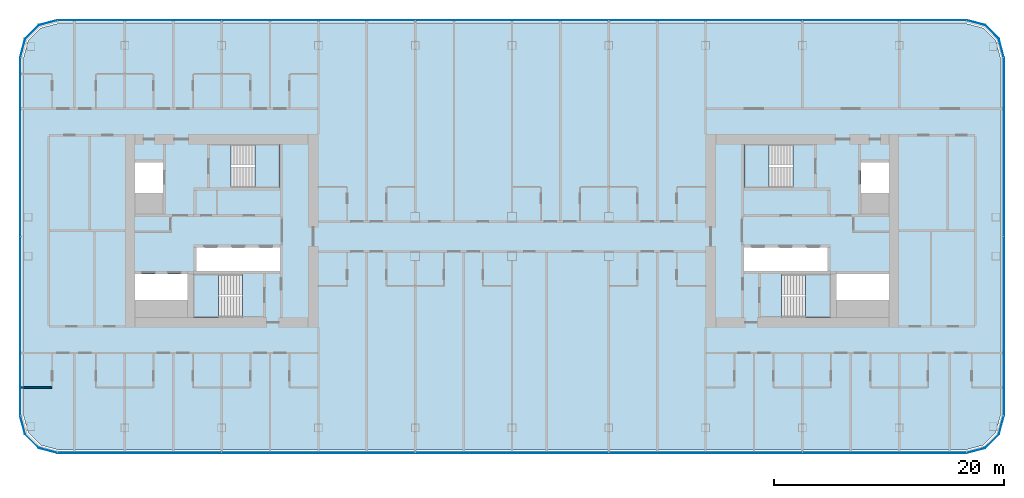
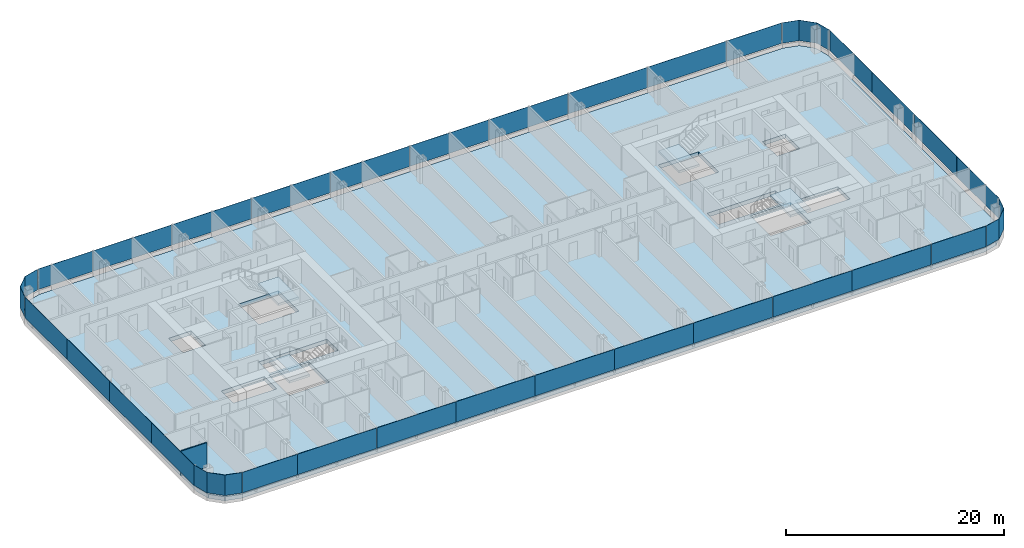
# One storey, part 11 of 27: 32 plates, 5 slabs, 1 wall, 12 elements without a shape of their own.
"""IFC4 building model written with IfcOpenShell, lengths in metres."""

import ifcopenshell
import ifcopenshell.guid

model = None  # the IFC model being written
_history = None  # IfcOwnerHistory: only IFC2X3 demands one
_inside = {}  # id of a spatial element -> (the spatial element, [elements in it])
_under = {}  # id of a project, library or spatial element -> (it, [spatial elements below it])
_declared = {}  # id of a project -> (the project, [libraries it declares])
_typed = {}  # id of a type object -> (the type object, [elements of that type])
_made_of = {}  # id of a material, layer set ... -> (it, [elements and type objects made of it])


def new_model(schema):
    """Start an empty IFC model of exactly this schema.

    Asked for "IFC4X3", IfcOpenShell would pick the latest addendum, in which some entities
    have other attributes; the version numbers below select the first issue.
    IFC2X3 requires an IfcOwnerHistory on every rooted entity: one is made here for all.
    """
    global model, _history
    if schema == "IFC4X3":
        model = ifcopenshell.file(schema_version=(4, 3, 0, 0))
    else:
        model = ifcopenshell.file(schema=schema)
    _inside.clear()
    _under.clear()
    _declared.clear()
    _typed.clear()
    _made_of.clear()
    _history = None
    if model.schema == "IFC2X3":
        org = make("IfcOrganization", Name="unknown")
        user = make(
            "IfcPersonAndOrganization",
            ThePerson=make("IfcPerson", FamilyName="unknown"),
            TheOrganization=org,
        )
        app = make(
            "IfcApplication",
            ApplicationDeveloper=org,
            Version="unknown",
            ApplicationFullName="unknown",
            ApplicationIdentifier="unknown",
        )
        _history = make(
            "IfcOwnerHistory",
            OwningUser=user,
            OwningApplication=app,
            ChangeAction="ADDED",
            CreationDate=0,
        )
    return model


def make(cls, **values):
    """One entity of the class cls with the attributes given. An attribute that is None is left unset."""
    return model.create_entity(
        cls, **{name: value for name, value in values.items() if value is not None}
    )


def rooted(cls, **values):
    """An entity with a GlobalId (a new one), such as an element, a storey or a relation."""
    return make(cls, GlobalId=ifcopenshell.guid.new(), OwnerHistory=_history, **values)


def si_unit(unit_type, name, prefix=None):
    """IfcSIUnit, for example si_unit("LENGTHUNIT", "METRE", prefix="MILLI")."""
    return make("IfcSIUnit", UnitType=unit_type, Prefix=prefix, Name=name)


def assignment(units):
    """IfcUnitAssignment: the units of a project."""
    return None if units is None else make("IfcUnitAssignment", Units=units)


def point(xyz):
    """IfcCartesianPoint."""
    return None if xyz is None else make("IfcCartesianPoint", Coordinates=xyz)


def direction(xyz):
    """IfcDirection."""
    return None if xyz is None else make("IfcDirection", DirectionRatios=xyz)


def frame(location, z_axis=None, x_axis=None):
    """IfcAxis2Placement3D, a coordinate frame: its origin and axes. An axis left out is left unset."""
    return make(
        "IfcAxis2Placement3D",
        Location=point(location),
        Axis=direction(z_axis),
        RefDirection=direction(x_axis),
    )


def frame_2d(location, x_axis=None):
    """IfcAxis2Placement2D, a coordinate frame in the plane: its origin and x axis."""
    return make(
        "IfcAxis2Placement2D", Location=point(location), RefDirection=direction(x_axis)
    )


def origin():
    """The frame at (0, 0, 0) with its axes left unset."""
    return frame((0.0, 0.0, 0.0))


def origin_2d():
    """The frame at (0, 0) in the plane with its x axis left unset."""
    return frame_2d((0.0, 0.0))


def place(relative_to, where):
    """IfcLocalPlacement: puts the frame where relative to a parent placement (None: the world)."""
    return make(
        "IfcLocalPlacement", PlacementRelTo=relative_to, RelativePlacement=where
    )


def context(
    kind, dimensions, precision=None, world=None, true_north=None, identifier=None
):
    """IfcGeometricRepresentationContext, for example the 3D "Model" context."""
    return make(
        "IfcGeometricRepresentationContext",
        ContextIdentifier=identifier,
        ContextType=kind,
        CoordinateSpaceDimension=dimensions,
        Precision=precision,
        WorldCoordinateSystem=world,
        TrueNorth=true_north,
    )


def subcontext(parent, identifier, kind, view, scale=None):
    """IfcGeometricRepresentationSubContext, for example "Body" below "Model"."""
    return make(
        "IfcGeometricRepresentationSubContext",
        ContextIdentifier=identifier,
        ContextType=kind,
        ParentContext=parent,
        TargetScale=scale,
        TargetView=view,
    )


def project(units=None, contexts=None):
    """IfcProject with its units and contexts."""
    return rooted(
        "IfcProject",
        Name="project",
        RepresentationContexts=contexts,
        UnitsInContext=assignment(units),
    )


def spatial(cls, under=None, at=None, **own):
    """A site, building, storey or space (cls), placed at a placement, below another one or the project."""
    s = rooted(cls, ObjectPlacement=at, **own)
    if under is not None:
        _under.setdefault(under.id(), (under, []))[1].append(s)
    return s


def polyline(points):
    """IfcPolyline through the points."""
    return make("IfcPolyline", Points=[point(p) for p in points])


def profile(cls, at=None, kind="AREA", **sizes):
    """A parametric profile (cls). Its sizes go by their IFC names, for example OverallWidth=200.0."""
    return make(cls, ProfileType=kind, Position=at, **sizes)


def rectangle(**sizes):
    """IfcRectangleProfileDef."""
    return profile("IfcRectangleProfileDef", **sizes)


def outline(outer, holes=None, kind="AREA"):
    """IfcArbitraryClosedProfileDef: a profile drawn as a closed curve; with holes, ...WithVoids."""
    if holes is None:
        return make("IfcArbitraryClosedProfileDef", ProfileType=kind, OuterCurve=outer)
    return make(
        "IfcArbitraryProfileDefWithVoids",
        ProfileType=kind,
        OuterCurve=outer,
        InnerCurves=holes,
    )


def extrude(swept, where, along, depth):
    """IfcExtrudedAreaSolid: the profile swept, set in the frame where, extruded along a direction by depth."""
    return make(
        "IfcExtrudedAreaSolid",
        SweptArea=swept,
        Position=where,
        ExtrudedDirection=direction(along),
        Depth=depth,
    )


def shape(context_of_items, identifier, shape_type, items):
    """IfcShapeRepresentation: the items that make up one representation, for example the "Body"."""
    return make(
        "IfcShapeRepresentation",
        ContextOfItems=context_of_items,
        RepresentationIdentifier=identifier,
        RepresentationType=shape_type,
        Items=items,
    )


def material(Name=None, Category=None):
    """IfcMaterial."""
    return make("IfcMaterial", Name=Name, Category=Category)


def layer(
    of_material, thickness, ventilated=None, Name=None, Category=None, Priority=None
):
    """IfcMaterialLayer: one layer of a wall or slab, of a material (None: an air gap)."""
    return make(
        "IfcMaterialLayer",
        Material=of_material,
        LayerThickness=thickness,
        IsVentilated=ventilated,
        Name=Name,
        Category=Category,
        Priority=Priority,
    )


def layer_set(layers, Name=None):
    """IfcMaterialLayerSet."""
    return make("IfcMaterialLayerSet", MaterialLayers=layers, LayerSetName=Name)


def made_of(thing, what):
    """Note that an element or type object is made of a material, layer set ...; save() writes the relation."""
    if what is not None:
        _made_of.setdefault(what.id(), (what, []))[1].append(thing)
    return thing


def type_object(cls, material=None, **own):
    """A type object (cls), such as IfcWallType, which elements share."""
    return made_of(rooted(cls, **own), material)


def element(
    cls,
    number,
    at=None,
    inside=None,
    cuts=None,
    type_object=None,
    material=None,
    context=None,
    identifier="Body",
    shape_type=None,
    held_by="IfcProductDefinitionShape",
    body=None,
    shapes=None,
    **own,
):
    """One element of the class cls, such as IfcWall. Its Tag is "e" and its number.

    at: its placement. inside: the storey or other place that contains it. cuts: it is an
    opening in that element (IfcRelVoidsElement). A single representation is given by context,
    identifier, shape_type and body (its items); several are given by shapes. held_by: the class
    of the entity that holds the representations. save() writes the other relations.
    """
    e = rooted(cls, Tag="e%d" % number, ObjectPlacement=at, **own)
    if body is not None:
        shapes = [shape(context, identifier, shape_type, body)]
    if shapes is not None:
        e.Representation = make(held_by, Representations=shapes)
    if inside is not None:
        _inside.setdefault(inside.id(), (inside, []))[1].append(e)
    if cuts is not None:
        rooted(
            "IfcRelVoidsElement", RelatingBuildingElement=cuts, RelatedOpeningElement=e
        )
    if type_object is not None:
        _typed.setdefault(type_object.id(), (type_object, []))[1].append(e)
    return made_of(e, material)


def aggregate(whole, parts):
    """IfcRelAggregates: a whole, such as a stair, and the parts it consists of."""
    return rooted("IfcRelAggregates", RelatingObject=whole, RelatedObjects=parts)


def save(model, path):
    """Write the relations noted so far, then the file.

    IfcRelAggregates (storeys below a building ...), IfcRelContainedInSpatialStructure (elements
    in a storey), IfcRelDefinesByType, IfcRelAssociatesMaterial and IfcRelDeclares: one each for
    every whole, place, type object, material and project.
    """
    for whole, parts in _under.values():
        aggregate(whole, parts)
    for where, things in _inside.values():
        rooted(
            "IfcRelContainedInSpatialStructure",
            RelatedElements=things,
            RelatingStructure=where,
        )
    for kind, things in _typed.values():
        rooted("IfcRelDefinesByType", RelatedObjects=things, RelatingType=kind)
    for what, things in _made_of.values():
        rooted("IfcRelAssociatesMaterial", RelatedObjects=things, RelatingMaterial=what)
    for by, libraries in _declared.values():
        rooted("IfcRelDeclares", RelatingContext=by, RelatedDefinitions=libraries)
    model.write(path)


model = new_model("IFC4")

# Units and contexts
model_context = context("Model", 3, precision=1e-05, world=origin(), true_north=direction((0.0, 1.0)))
body_context = subcontext(model_context, "Body", "Model", "MODEL_VIEW")
ifc_project = project(units=[si_unit("LENGTHUNIT", "METRE"), si_unit("AREAUNIT", "SQUARE_METRE"), si_unit("VOLUMEUNIT", "CUBIC_METRE"), si_unit("PLANEANGLEUNIT", "RADIAN"), si_unit("MASSUNIT", "GRAM", prefix="KILO")], contexts=[model_context])

# Site, building, storey
site_placement = place(None, origin())
site = spatial("IfcSite", under=ifc_project, at=site_placement, CompositionType="ELEMENT")
building_placement = place(site_placement, origin())
building = spatial("IfcBuilding", under=site, at=building_placement, Name="Hakoniwa Tower and Hamabe Station Hall", CompositionType="ELEMENT")
storey_placement = place(building_placement, frame((0.0, 0.0, 166.199951171875)))
storey = spatial("IfcBuildingStorey", under=building, at=storey_placement, Name="L47", CompositionType="ELEMENT", Elevation=166.199951171875)

# Stair, slab
ifc_material_1 = material(Name="Concrete C40", Category="concrete")
stair_type = type_object("IfcStairType", Name="ESCAPE STAIR 1800", PredefinedType="HALF_TURN_STAIR", material=ifc_material_1)
stair_1_placement = place(storey_placement, origin())
stair_1 = element("IfcStair", 1, at=stair_1_placement, inside=storey, type_object=stair_type, Name="Escape stair ST-1 L47", PredefinedType="HALF_TURN_STAIR")
ifc_material_2 = material(Name="Concrete C40", Category="concrete")
ifc_layer_1 = layer(ifc_material_2, 0.25)
ifc_layer_set_1 = layer_set([ifc_layer_1], Name="CORE STAIR LANDING 250")
slab_type_1 = type_object("IfcSlabType", Name="CORE STAIR LANDING 250", PredefinedType="LANDING", material=ifc_layer_set_1)
slab_1_placement = place(storey_placement, frame((0.0, 0.0, 1.35009765625)))
slab_1 = element("IfcSlab", 2, at=slab_1_placement, type_object=slab_type_1, Name="ST-1 landing 1", PredefinedType="LANDING", context=body_context, shape_type="SweptSolid", body=[
    extrude(outline(polyline([(-22.320068359375, 3.75), (-20.14990234375, 3.75), (-20.14990234375, 7.5), (-22.320068359375, 7.5), (-22.320068359375, 3.75)])), origin(), (0.0, 0.0, 1.0), 0.25),
])
aggregate(stair_1, [slab_1])

stair_2_placement = place(storey_placement, origin())
stair_2 = element("IfcStair", 3, at=stair_2_placement, inside=storey, type_object=stair_type, Name="Escape stair ST-2 L47", PredefinedType="HALF_TURN_STAIR")
slab_2_placement = place(storey_placement, frame((0.0, 0.0, 1.35009765625)))
slab_2 = element("IfcSlab", 4, at=slab_2_placement, type_object=slab_type_1, Name="ST-2 landing 1", PredefinedType="LANDING", context=body_context, shape_type="SweptSolid", body=[
    extrude(outline(polyline([(-25.47998046875, -7.5), (-27.64990234375, -7.5), (-27.64990234375, -3.75), (-25.47998046875, -3.75), (-25.47998046875, -7.5)])), origin(), (0.0, 0.0, 1.0), 0.25),
])
aggregate(stair_2, [slab_2])

stair_3_placement = place(storey_placement, origin())
stair_3 = element("IfcStair", 5, at=stair_3_placement, inside=storey, type_object=stair_type, Name="Escape stair ST-3 L47", PredefinedType="HALF_TURN_STAIR")
slab_3_placement = place(storey_placement, frame((0.0, 0.0, 1.35009765625)))
slab_3 = element("IfcSlab", 6, at=slab_3_placement, type_object=slab_type_1, Name="ST-3 landing 1", PredefinedType="LANDING", context=body_context, shape_type="SweptSolid", body=[
    extrude(outline(polyline([(22.320068359375, 3.75), (20.14990234375, 3.75), (20.14990234375, 7.5), (22.320068359375, 7.5), (22.320068359375, 3.75)])), origin(), (0.0, 0.0, 1.0), 0.25),
])
aggregate(stair_3, [slab_3])

stair_4_placement = place(storey_placement, origin())
stair_4 = element("IfcStair", 7, at=stair_4_placement, inside=storey, type_object=stair_type, Name="Escape stair ST-4 L47", PredefinedType="HALF_TURN_STAIR")
slab_4_placement = place(storey_placement, frame((0.0, 0.0, 1.35009765625)))
slab_4 = element("IfcSlab", 8, at=slab_4_placement, type_object=slab_type_1, Name="ST-4 landing 1", PredefinedType="LANDING", context=body_context, shape_type="SweptSolid", body=[
    extrude(outline(polyline([(25.47998046875, -7.5), (27.64990234375, -7.5), (27.64990234375, -3.75), (25.47998046875, -3.75), (25.47998046875, -7.5)])), origin(), (0.0, 0.0, 1.0), 0.25),
])
aggregate(stair_4, [slab_4])

# Curtain wall, plates
ifc_material_3 = material(Name="Dark low-e laminated glass", Category="glass")
ifc_layer_2 = layer(ifc_material_3, 0.199951171875)
ifc_layer_set_2 = layer_set([ifc_layer_2], Name="CW-1 UNITISED GUEST")
curtain_wall_type = type_object("IfcCurtainWallType", Name="CW-1 UNITISED GUEST", PredefinedType="NOTDEFINED", material=ifc_layer_set_2)
curtain_wall_1_placement = place(storey_placement, origin())
curtain_wall_1 = element("IfcCurtainWall", 9, at=curtain_wall_1_placement, inside=storey, type_object=curtain_wall_type, Name="CW-1 curtain wall", PredefinedType="NOTDEFINED")
ifc_material_4 = material(Name="Dark low-e laminated glass", Category="glass")
ifc_layer_3 = layer(ifc_material_4, 0.028076171875)
ifc_layer_set_3 = layer_set([ifc_layer_3], Name="CW-1 GLASS UNIT")
plate_type = type_object("IfcPlateType", Name="CW-1 GLASS UNIT", PredefinedType="CURTAIN_PANEL", material=ifc_layer_set_3)
plate_1_placement = place(storey_placement, frame((42.68603515625, -12.154541015625, 0.35009765625), z_axis=(0.0, 0.0, 1.0), x_axis=(0.0, 1.0, 0.0)))
plate_1 = element("IfcPlate", 10, at=plate_1_placement, type_object=plate_type, Name="CW-1 glass unit", PredefinedType="CURTAIN_PANEL", context=body_context, shape_type="SweptSolid", body=[
    extrude(rectangle(XDim=7.749755859375, YDim=0.028076171875, at=origin_2d()), origin(), (0.0, 0.0, 1.0), 2.300048828125),
])
plate_2_placement = place(storey_placement, frame((42.68603515625, -4.384765625, 0.35009765625), z_axis=(0.0, 0.0, 1.0), x_axis=(0.0, 1.0, 0.0)))
plate_2 = element("IfcPlate", 11, at=plate_2_placement, type_object=plate_type, Name="CW-1 glass unit", PredefinedType="CURTAIN_PANEL", context=body_context, shape_type="SweptSolid", body=[
    extrude(rectangle(XDim=7.749755859375, YDim=0.028076171875, at=origin_2d()), origin(), (0.0, 0.0, 1.0), 2.300048828125),
])
plate_3_placement = place(storey_placement, frame((42.68603515625, 3.384765625, 0.35009765625), z_axis=(0.0, 0.0, 1.0), x_axis=(0.0, 1.0, 0.0)))
plate_3 = element("IfcPlate", 12, at=plate_3_placement, type_object=plate_type, Name="CW-1 glass unit", PredefinedType="CURTAIN_PANEL", context=body_context, shape_type="SweptSolid", body=[
    extrude(rectangle(XDim=7.749755859375, YDim=0.028076171875, at=origin_2d()), origin(), (0.0, 0.0, 1.0), 2.300048828125),
])
plate_4_placement = place(storey_placement, frame((42.68603515625, 11.154541015625, 0.35009765625), z_axis=(0.0, 0.0, 1.0), x_axis=(0.0, 1.0, 0.0)))
plate_4 = element("IfcPlate", 13, at=plate_4_placement, type_object=plate_type, Name="CW-1 glass unit", PredefinedType="CURTAIN_PANEL", context=body_context, shape_type="SweptSolid", body=[
    extrude(rectangle(XDim=7.749755859375, YDim=0.028076171875, at=origin_2d()), origin(), (0.0, 0.0, 1.0), 2.300048828125),
])
aggregate(curtain_wall_1, [plate_1, plate_2, plate_3, plate_4])

# Curtain wall, plate
curtain_wall_2_placement = place(storey_placement, origin())
curtain_wall_2 = element("IfcCurtainWall", 14, at=curtain_wall_2_placement, inside=storey, type_object=curtain_wall_type, Name="CW-1 curtain wall", PredefinedType="NOTDEFINED")
plate_5_placement = place(storey_placement, frame((0.0, 0.0, 0.35009765625)))
plate_5 = element("IfcPlate", 15, at=plate_5_placement, type_object=plate_type, Name="CW-1 curved corner unit", PredefinedType="CURTAIN_PANEL", context=body_context, shape_type="SweptSolid", body=[
    extrude(outline(polyline([(42.689697265625, 15.078125), (42.26708984375, 16.6552734375), (41.05517578125, 17.866943359375), (39.47802734375, 18.28955078125), (39.470947265625, 18.2626953125), (41.040771484375, 17.842041015625), (42.241943359375, 16.640869140625), (42.66259765625, 15.07080078125), (42.689697265625, 15.078125)])), origin(), (0.0, 0.0, 1.0), 2.300048828125),
])
aggregate(curtain_wall_2, [plate_5])

# Curtain wall, plates
curtain_wall_3_placement = place(storey_placement, origin())
curtain_wall_3 = element("IfcCurtainWall", 16, at=curtain_wall_3_placement, inside=storey, type_object=curtain_wall_type, Name="CW-1 curtain wall", PredefinedType="NOTDEFINED")
plate_6_placement = place(storey_placement, frame((36.519775390625, 18.285888671875, 0.35009765625), z_axis=(0.0, 0.0, 1.0), x_axis=(-1.0, 0.0, 0.0)))
plate_6 = element("IfcPlate", 17, at=plate_6_placement, type_object=plate_type, Name="CW-1 glass unit", PredefinedType="CURTAIN_PANEL", context=body_context, shape_type="SweptSolid", body=[
    extrude(rectangle(XDim=5.819580078125, YDim=0.028076171875, at=origin_2d()), origin(), (0.0, 0.0, 1.0), 2.300048828125),
])
plate_7_placement = place(storey_placement, frame((29.39990234375, 18.285888671875, 0.35009765625), z_axis=(0.0, 0.0, 1.0), x_axis=(-1.0, 0.0, 0.0)))
plate_7 = element("IfcPlate", 18, at=plate_7_placement, type_object=plate_type, Name="CW-1 glass unit", PredefinedType="CURTAIN_PANEL", context=body_context, shape_type="SweptSolid", body=[
    extrude(rectangle(XDim=8.3798828125, YDim=0.028076171875, at=origin_2d()), origin(), (0.0, 0.0, 1.0), 2.300048828125),
])
plate_8_placement = place(storey_placement, frame((21.0, 18.285888671875, 0.35009765625), z_axis=(0.0, 0.0, 1.0), x_axis=(-1.0, 0.0, 0.0)))
plate_8 = element("IfcPlate", 19, at=plate_8_placement, type_object=plate_type, Name="CW-1 glass unit", PredefinedType="CURTAIN_PANEL", context=body_context, shape_type="SweptSolid", body=[
    extrude(rectangle(XDim=8.3798828125, YDim=0.028076171875, at=origin_2d()), origin(), (0.0, 0.0, 1.0), 2.300048828125),
])
plate_9_placement = place(storey_placement, frame((12.60009765625, 18.285888671875, 0.35009765625), z_axis=(0.0, 0.0, 1.0), x_axis=(-1.0, 0.0, 0.0)))
plate_9 = element("IfcPlate", 20, at=plate_9_placement, type_object=plate_type, Name="CW-1 glass unit", PredefinedType="CURTAIN_PANEL", context=body_context, shape_type="SweptSolid", body=[
    extrude(rectangle(XDim=8.3798828125, YDim=0.028076171875, at=origin_2d()), origin(), (0.0, 0.0, 1.0), 2.300048828125),
])
plate_10_placement = place(storey_placement, frame((4.199951171875, 18.285888671875, 0.35009765625), z_axis=(0.0, 0.0, 1.0), x_axis=(-1.0, 0.0, 0.0)))
plate_10 = element("IfcPlate", 21, at=plate_10_placement, type_object=plate_type, Name="CW-1 glass unit", PredefinedType="CURTAIN_PANEL", context=body_context, shape_type="SweptSolid", body=[
    extrude(rectangle(XDim=8.3798828125, YDim=0.028076171875, at=origin_2d()), origin(), (0.0, 0.0, 1.0), 2.300048828125),
])
plate_11_placement = place(storey_placement, frame((-4.199951171875, 18.285888671875, 0.35009765625), z_axis=(0.0, 0.0, 1.0), x_axis=(-1.0, 0.0, 0.0)))
plate_11 = element("IfcPlate", 22, at=plate_11_placement, type_object=plate_type, Name="CW-1 glass unit", PredefinedType="CURTAIN_PANEL", context=body_context, shape_type="SweptSolid", body=[
    extrude(rectangle(XDim=8.3798828125, YDim=0.028076171875, at=origin_2d()), origin(), (0.0, 0.0, 1.0), 2.300048828125),
])
plate_12_placement = place(storey_placement, frame((-12.60009765625, 18.285888671875, 0.35009765625), z_axis=(0.0, 0.0, 1.0), x_axis=(-1.0, 0.0, 0.0)))
plate_12 = element("IfcPlate", 23, at=plate_12_placement, type_object=plate_type, Name="CW-1 glass unit", PredefinedType="CURTAIN_PANEL", context=body_context, shape_type="SweptSolid", body=[
    extrude(rectangle(XDim=8.3798828125, YDim=0.028076171875, at=origin_2d()), origin(), (0.0, 0.0, 1.0), 2.300048828125),
])
plate_13_placement = place(storey_placement, frame((-21.0, 18.285888671875, 0.35009765625), z_axis=(0.0, 0.0, 1.0), x_axis=(-1.0, 0.0, 0.0)))
plate_13 = element("IfcPlate", 24, at=plate_13_placement, type_object=plate_type, Name="CW-1 glass unit", PredefinedType="CURTAIN_PANEL", context=body_context, shape_type="SweptSolid", body=[
    extrude(rectangle(XDim=8.3798828125, YDim=0.028076171875, at=origin_2d()), origin(), (0.0, 0.0, 1.0), 2.300048828125),
])
plate_14_placement = place(storey_placement, frame((-29.39990234375, 18.285888671875, 0.35009765625), z_axis=(0.0, 0.0, 1.0), x_axis=(-1.0, 0.0, 0.0)))
plate_14 = element("IfcPlate", 25, at=plate_14_placement, type_object=plate_type, Name="CW-1 glass unit", PredefinedType="CURTAIN_PANEL", context=body_context, shape_type="SweptSolid", body=[
    extrude(rectangle(XDim=8.3798828125, YDim=0.028076171875, at=origin_2d()), origin(), (0.0, 0.0, 1.0), 2.300048828125),
])
plate_15_placement = place(storey_placement, frame((-36.519775390625, 18.285888671875, 0.35009765625), z_axis=(0.0, 0.0, 1.0), x_axis=(-1.0, 0.0, 0.0)))
plate_15 = element("IfcPlate", 26, at=plate_15_placement, type_object=plate_type, Name="CW-1 glass unit", PredefinedType="CURTAIN_PANEL", context=body_context, shape_type="SweptSolid", body=[
    extrude(rectangle(XDim=5.819580078125, YDim=0.028076171875, at=origin_2d()), origin(), (0.0, 0.0, 1.0), 2.300048828125),
])
aggregate(curtain_wall_3, [plate_6, plate_7, plate_8, plate_9, plate_10, plate_11, plate_12, plate_13, plate_14, plate_15])

# Curtain wall, plate
curtain_wall_4_placement = place(storey_placement, origin())
curtain_wall_4 = element("IfcCurtainWall", 27, at=curtain_wall_4_placement, inside=storey, type_object=curtain_wall_type, Name="CW-1 curtain wall", PredefinedType="NOTDEFINED")
plate_16_placement = place(storey_placement, frame((0.0, 0.0, 0.35009765625)))
plate_16 = element("IfcPlate", 28, at=plate_16_placement, type_object=plate_type, Name="CW-1 curved corner unit", PredefinedType="CURTAIN_PANEL", context=body_context, shape_type="SweptSolid", body=[
    extrude(outline(polyline([(-39.47802734375, 18.28955078125), (-41.05517578125, 17.866943359375), (-42.26708984375, 16.6552734375), (-42.689697265625, 15.078125), (-42.66259765625, 15.07080078125), (-42.241943359375, 16.640869140625), (-41.040771484375, 17.842041015625), (-39.470947265625, 18.2626953125), (-39.47802734375, 18.28955078125)])), origin(), (0.0, 0.0, 1.0), 2.300048828125),
])
aggregate(curtain_wall_4, [plate_16])

# Curtain wall, plates
curtain_wall_5_placement = place(storey_placement, origin())
curtain_wall_5 = element("IfcCurtainWall", 29, at=curtain_wall_5_placement, inside=storey, type_object=curtain_wall_type, Name="CW-1 curtain wall", PredefinedType="NOTDEFINED")
plate_17_placement = place(storey_placement, frame((-42.68603515625, 11.154541015625, 0.35009765625), z_axis=(0.0, 0.0, 1.0), x_axis=(0.0, -1.0, 0.0)))
plate_17 = element("IfcPlate", 30, at=plate_17_placement, type_object=plate_type, Name="CW-1 glass unit", PredefinedType="CURTAIN_PANEL", context=body_context, shape_type="SweptSolid", body=[
    extrude(rectangle(XDim=7.749755859375, YDim=0.028076171875, at=origin_2d()), origin(), (0.0, 0.0, 1.0), 2.300048828125),
])
plate_18_placement = place(storey_placement, frame((-42.68603515625, 3.384765625, 0.35009765625), z_axis=(0.0, 0.0, 1.0), x_axis=(0.0, -1.0, 0.0)))
plate_18 = element("IfcPlate", 31, at=plate_18_placement, type_object=plate_type, Name="CW-1 glass unit", PredefinedType="CURTAIN_PANEL", context=body_context, shape_type="SweptSolid", body=[
    extrude(rectangle(XDim=7.749755859375, YDim=0.028076171875, at=origin_2d()), origin(), (0.0, 0.0, 1.0), 2.300048828125),
])
plate_19_placement = place(storey_placement, frame((-42.68603515625, -4.384765625, 0.35009765625), z_axis=(0.0, 0.0, 1.0), x_axis=(0.0, -1.0, 0.0)))
plate_19 = element("IfcPlate", 32, at=plate_19_placement, type_object=plate_type, Name="CW-1 glass unit", PredefinedType="CURTAIN_PANEL", context=body_context, shape_type="SweptSolid", body=[
    extrude(rectangle(XDim=7.749755859375, YDim=0.028076171875, at=origin_2d()), origin(), (0.0, 0.0, 1.0), 2.300048828125),
])
plate_20_placement = place(storey_placement, frame((-42.68603515625, -12.154541015625, 0.35009765625), z_axis=(0.0, 0.0, 1.0), x_axis=(0.0, -1.0, 0.0)))
plate_20 = element("IfcPlate", 33, at=plate_20_placement, type_object=plate_type, Name="CW-1 glass unit", PredefinedType="CURTAIN_PANEL", context=body_context, shape_type="SweptSolid", body=[
    extrude(rectangle(XDim=7.749755859375, YDim=0.028076171875, at=origin_2d()), origin(), (0.0, 0.0, 1.0), 2.300048828125),
])
aggregate(curtain_wall_5, [plate_17, plate_18, plate_19, plate_20])

# Curtain wall, plate
curtain_wall_6_placement = place(storey_placement, origin())
curtain_wall_6 = element("IfcCurtainWall", 34, at=curtain_wall_6_placement, inside=storey, type_object=curtain_wall_type, Name="CW-1 curtain wall", PredefinedType="NOTDEFINED")
plate_21_placement = place(storey_placement, frame((0.0, 0.0, 0.35009765625)))
plate_21 = element("IfcPlate", 35, at=plate_21_placement, type_object=plate_type, Name="CW-1 curved corner unit", PredefinedType="CURTAIN_PANEL", context=body_context, shape_type="SweptSolid", body=[
    extrude(outline(polyline([(-42.689697265625, -16.078125), (-42.26708984375, -17.6552734375), (-41.05517578125, -18.866943359375), (-39.47802734375, -19.28955078125), (-39.470947265625, -19.2626953125), (-41.040771484375, -18.842041015625), (-42.241943359375, -17.640869140625), (-42.66259765625, -16.07080078125), (-42.689697265625, -16.078125)])), origin(), (0.0, 0.0, 1.0), 2.300048828125),
])
aggregate(curtain_wall_6, [plate_21])

# Curtain wall, plates
curtain_wall_7_placement = place(storey_placement, origin())
curtain_wall_7 = element("IfcCurtainWall", 36, at=curtain_wall_7_placement, inside=storey, type_object=curtain_wall_type, Name="CW-1 curtain wall", PredefinedType="NOTDEFINED")
plate_22_placement = place(storey_placement, frame((-36.519775390625, -19.285888671875, 0.35009765625), z_axis=(0.0, 0.0, 1.0), x_axis=(1.0, 0.0, 0.0)))
plate_22 = element("IfcPlate", 37, at=plate_22_placement, type_object=plate_type, Name="CW-1 glass unit", PredefinedType="CURTAIN_PANEL", context=body_context, shape_type="SweptSolid", body=[
    extrude(rectangle(XDim=5.819580078125, YDim=0.028076171875, at=origin_2d()), origin(), (0.0, 0.0, 1.0), 2.300048828125),
])
plate_23_placement = place(storey_placement, frame((-29.39990234375, -19.285888671875, 0.35009765625), z_axis=(0.0, 0.0, 1.0), x_axis=(1.0, 0.0, 0.0)))
plate_23 = element("IfcPlate", 38, at=plate_23_placement, type_object=plate_type, Name="CW-1 glass unit", PredefinedType="CURTAIN_PANEL", context=body_context, shape_type="SweptSolid", body=[
    extrude(rectangle(XDim=8.3798828125, YDim=0.028076171875, at=origin_2d()), origin(), (0.0, 0.0, 1.0), 2.300048828125),
])
plate_24_placement = place(storey_placement, frame((-21.0, -19.285888671875, 0.35009765625), z_axis=(0.0, 0.0, 1.0), x_axis=(1.0, 0.0, 0.0)))
plate_24 = element("IfcPlate", 39, at=plate_24_placement, type_object=plate_type, Name="CW-1 glass unit", PredefinedType="CURTAIN_PANEL", context=body_context, shape_type="SweptSolid", body=[
    extrude(rectangle(XDim=8.3798828125, YDim=0.028076171875, at=origin_2d()), origin(), (0.0, 0.0, 1.0), 2.300048828125),
])
plate_25_placement = place(storey_placement, frame((-12.60009765625, -19.285888671875, 0.35009765625), z_axis=(0.0, 0.0, 1.0), x_axis=(1.0, 0.0, 0.0)))
plate_25 = element("IfcPlate", 40, at=plate_25_placement, type_object=plate_type, Name="CW-1 glass unit", PredefinedType="CURTAIN_PANEL", context=body_context, shape_type="SweptSolid", body=[
    extrude(rectangle(XDim=8.3798828125, YDim=0.028076171875, at=origin_2d()), origin(), (0.0, 0.0, 1.0), 2.300048828125),
])
plate_26_placement = place(storey_placement, frame((-4.199951171875, -19.285888671875, 0.35009765625), z_axis=(0.0, 0.0, 1.0), x_axis=(1.0, 0.0, 0.0)))
plate_26 = element("IfcPlate", 41, at=plate_26_placement, type_object=plate_type, Name="CW-1 glass unit", PredefinedType="CURTAIN_PANEL", context=body_context, shape_type="SweptSolid", body=[
    extrude(rectangle(XDim=8.3798828125, YDim=0.028076171875, at=origin_2d()), origin(), (0.0, 0.0, 1.0), 2.300048828125),
])
plate_27_placement = place(storey_placement, frame((4.199951171875, -19.285888671875, 0.35009765625), z_axis=(0.0, 0.0, 1.0), x_axis=(1.0, 0.0, 0.0)))
plate_27 = element("IfcPlate", 42, at=plate_27_placement, type_object=plate_type, Name="CW-1 glass unit", PredefinedType="CURTAIN_PANEL", context=body_context, shape_type="SweptSolid", body=[
    extrude(rectangle(XDim=8.3798828125, YDim=0.028076171875, at=origin_2d()), origin(), (0.0, 0.0, 1.0), 2.300048828125),
])
plate_28_placement = place(storey_placement, frame((12.60009765625, -19.285888671875, 0.35009765625), z_axis=(0.0, 0.0, 1.0), x_axis=(1.0, 0.0, 0.0)))
plate_28 = element("IfcPlate", 43, at=plate_28_placement, type_object=plate_type, Name="CW-1 glass unit", PredefinedType="CURTAIN_PANEL", context=body_context, shape_type="SweptSolid", body=[
    extrude(rectangle(XDim=8.3798828125, YDim=0.028076171875, at=origin_2d()), origin(), (0.0, 0.0, 1.0), 2.300048828125),
])
plate_29_placement = place(storey_placement, frame((21.0, -19.285888671875, 0.35009765625), z_axis=(0.0, 0.0, 1.0), x_axis=(1.0, 0.0, 0.0)))
plate_29 = element("IfcPlate", 44, at=plate_29_placement, type_object=plate_type, Name="CW-1 glass unit", PredefinedType="CURTAIN_PANEL", context=body_context, shape_type="SweptSolid", body=[
    extrude(rectangle(XDim=8.3798828125, YDim=0.028076171875, at=origin_2d()), origin(), (0.0, 0.0, 1.0), 2.300048828125),
])
plate_30_placement = place(storey_placement, frame((29.39990234375, -19.285888671875, 0.35009765625), z_axis=(0.0, 0.0, 1.0), x_axis=(1.0, 0.0, 0.0)))
plate_30 = element("IfcPlate", 45, at=plate_30_placement, type_object=plate_type, Name="CW-1 glass unit", PredefinedType="CURTAIN_PANEL", context=body_context, shape_type="SweptSolid", body=[
    extrude(rectangle(XDim=8.3798828125, YDim=0.028076171875, at=origin_2d()), origin(), (0.0, 0.0, 1.0), 2.300048828125),
])
plate_31_placement = place(storey_placement, frame((36.519775390625, -19.285888671875, 0.35009765625), z_axis=(0.0, 0.0, 1.0), x_axis=(1.0, 0.0, 0.0)))
plate_31 = element("IfcPlate", 46, at=plate_31_placement, type_object=plate_type, Name="CW-1 glass unit", PredefinedType="CURTAIN_PANEL", context=body_context, shape_type="SweptSolid", body=[
    extrude(rectangle(XDim=5.819580078125, YDim=0.028076171875, at=origin_2d()), origin(), (0.0, 0.0, 1.0), 2.300048828125),
])
aggregate(curtain_wall_7, [plate_22, plate_23, plate_24, plate_25, plate_26, plate_27, plate_28, plate_29, plate_30, plate_31])

# Curtain wall, plate
curtain_wall_8_placement = place(storey_placement, origin())
curtain_wall_8 = element("IfcCurtainWall", 47, at=curtain_wall_8_placement, inside=storey, type_object=curtain_wall_type, Name="CW-1 curtain wall", PredefinedType="NOTDEFINED")
plate_32_placement = place(storey_placement, frame((0.0, 0.0, 0.35009765625)))
plate_32 = element("IfcPlate", 48, at=plate_32_placement, type_object=plate_type, Name="CW-1 curved corner unit", PredefinedType="CURTAIN_PANEL", context=body_context, shape_type="SweptSolid", body=[
    extrude(outline(polyline([(39.47802734375, -19.28955078125), (41.05517578125, -18.866943359375), (42.26708984375, -17.6552734375), (42.689697265625, -16.078125), (42.66259765625, -16.07080078125), (42.241943359375, -17.640869140625), (41.040771484375, -18.842041015625), (39.470947265625, -19.2626953125), (39.47802734375, -19.28955078125)])), origin(), (0.0, 0.0, 1.0), 2.300048828125),
])
aggregate(curtain_wall_8, [plate_32])

# Slab
ifc_material_5 = material(Name="Concrete C42", Category="concrete")
ifc_layer_4 = layer(ifc_material_5, 0.449951171875)
ifc_layer_set_4 = layer_set([ifc_layer_4], Name="PT FLAT PLATE 450")
slab_type_2 = type_object("IfcSlabType", Name="PT FLAT PLATE 450", PredefinedType="FLOOR", material=ifc_layer_set_4)
slab_5_placement = place(storey_placement, frame((0.0, 0.0, -0.449951171875)))
element("IfcSlab", 49, at=slab_5_placement, inside=storey, type_object=slab_type_2, Name="Floor slab L47", PredefinedType="FLOOR", context=body_context, shape_type="SweptSolid", body=[
    extrude(outline(polyline([(42.39990234375, -16.0), (42.39990234375, 15.0), (41.998046875, 16.5), (40.89990234375, 17.59814453125), (39.39990234375, 18.0), (-39.39990234375, 18.0), (-40.89990234375, 17.59814453125), (-41.998046875, 16.5), (-42.39990234375, 15.0), (-42.39990234375, -16.0), (-41.998046875, -17.5), (-40.89990234375, -18.59814453125), (-39.39990234375, -19.0), (39.39990234375, -19.0), (40.89990234375, -18.59814453125), (41.998046875, -17.5), (42.39990234375, -16.0)]), holes=[polyline([(-27.39990234375, -3.5), (-27.39990234375, -1.449951171875), (-20.14990234375, -1.449951171875), (-20.14990234375, -3.5), (-27.39990234375, -3.5)]), polyline([(-32.699951171875, 3.300048828125), (-32.699951171875, 5.949951171875), (-30.300048828125, 5.949951171875), (-30.300048828125, 3.300048828125), (-32.699951171875, 3.300048828125)]), polyline([(-32.699951171875, -6.0), (-32.699951171875, -3.75), (-28.14990234375, -3.75), (-28.14990234375, -6.0), (-32.699951171875, -6.0)]), polyline([(-24.389892578125, 3.75), (-24.389892578125, 7.5), (-20.14990234375, 7.5), (-20.14990234375, 3.75), (-24.389892578125, 3.75)]), polyline([(-27.64990234375, -7.5), (-27.64990234375, -3.75), (-23.409912109375, -3.75), (-23.409912109375, -7.5), (-27.64990234375, -7.5)]), polyline([(20.14990234375, -3.5), (20.14990234375, -1.449951171875), (27.39990234375, -1.449951171875), (27.39990234375, -3.5), (20.14990234375, -3.5)]), polyline([(30.300048828125, 3.300048828125), (30.300048828125, 5.949951171875), (32.699951171875, 5.949951171875), (32.699951171875, 3.300048828125), (30.300048828125, 3.300048828125)]), polyline([(28.14990234375, -6.0), (28.14990234375, -3.75), (32.699951171875, -3.75), (32.699951171875, -6.0), (28.14990234375, -6.0)]), polyline([(20.14990234375, 3.75), (20.14990234375, 7.5), (24.389892578125, 7.5), (24.389892578125, 3.75), (20.14990234375, 3.75)]), polyline([(23.409912109375, -7.5), (23.409912109375, -3.75), (27.64990234375, -3.75), (27.64990234375, -7.5), (23.409912109375, -7.5)])]), origin(), (0.0, 0.0, 1.0), 0.449951171875),
])

# Wall
ifc_material_6 = material(Name="Gypsum board partition", Category="gypsum")
ifc_layer_5 = layer(ifc_material_6, 0.125)
ifc_layer_set_5 = layer_set([ifc_layer_5], Name="Bathroom Partition 125")
wall_type = type_object("IfcWallType", Name="Bathroom Partition 125", PredefinedType="PARTITIONING", material=ifc_layer_set_5)
wall_placement = place(storey_placement, frame((-42.699951171875, -13.60009765625, 0.0), z_axis=(0.0, 0.0, 1.0), x_axis=(1.0, 0.0, 0.0)))
element("IfcWall", 50, at=wall_placement, inside=storey, type_object=wall_type, Name="GW-L47-001", PredefinedType="PARTITIONING", context=body_context, shape_type="SweptSolid", body=[
    extrude(rectangle(XDim=2.737548828125, YDim=0.125, at=frame_2d((1.36865234375, 0.0))), origin(), (0.0, 0.0, 1.0), 2.75),
])

save(model, "model.ifc")
